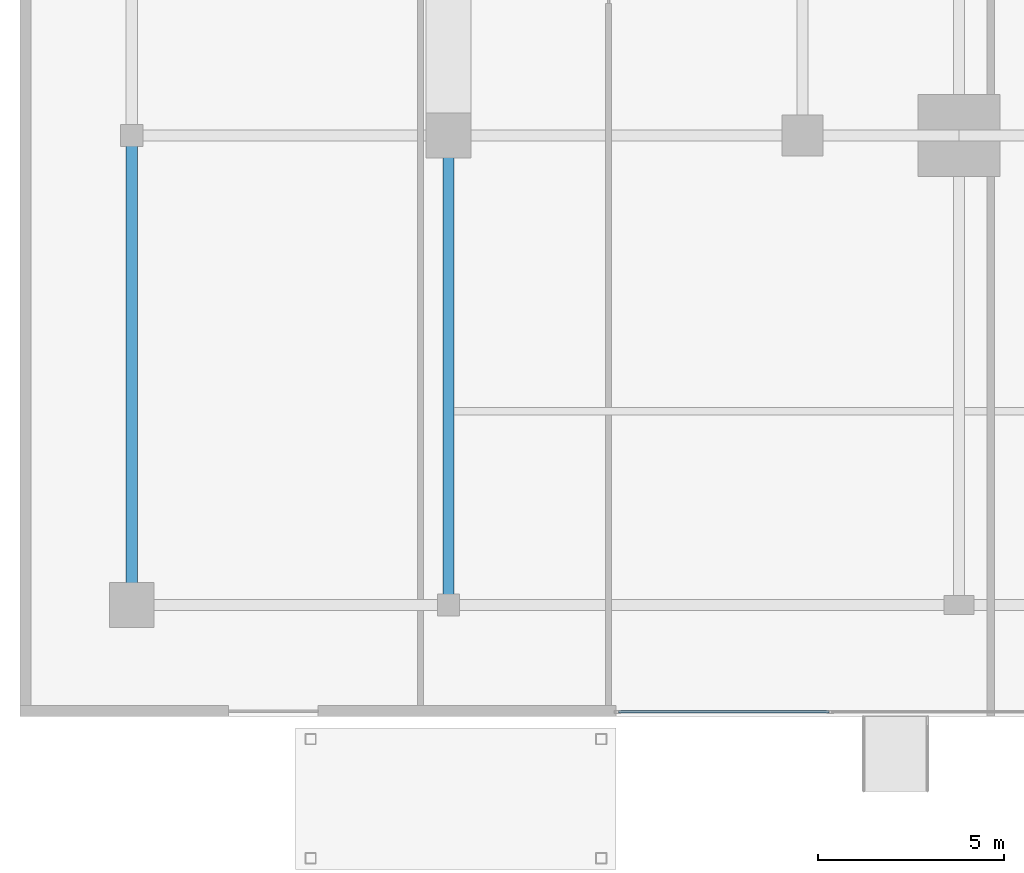
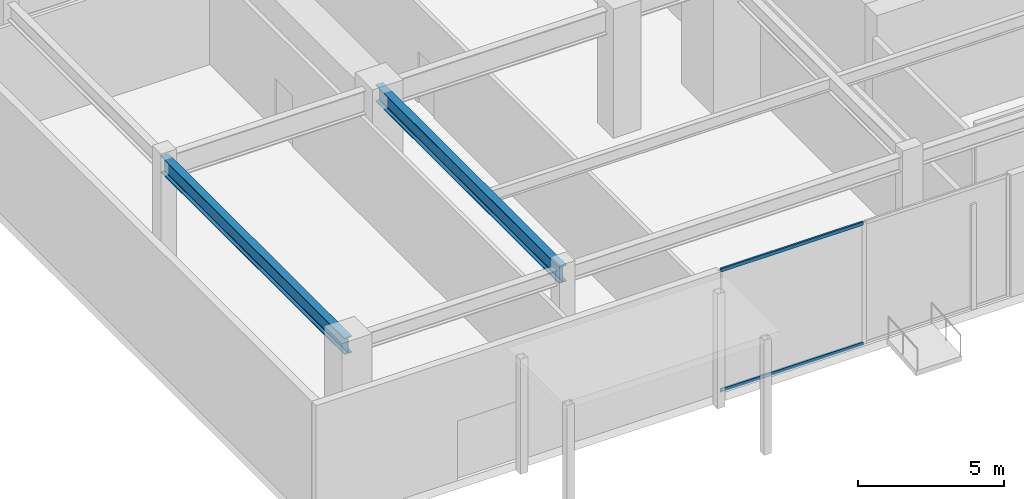
# One storey, part 7 of 28: 2 beams, 2 members, 1 element without a shape of its own.
"""IFC4 building model written with IfcOpenShell, lengths in metres."""

from ifc_helpers import new_model, si_unit, direction, frame, origin, origin_2d, place, context, subcontext, project, spatial, hollow_rectangle, i_section, extrude, source, transform, mapped, material, material_profile, profile_set, type_object, type_shapes, element, aggregate, save


model = new_model("IFC4")

# Units and contexts
model_context = context("Model", 3, precision=1e-05, world=origin(), true_north=direction((0.0, 1.0)))
body_context = subcontext(model_context, "Body", "Model", "MODEL_VIEW")
ifc_project = project(units=[si_unit("LENGTHUNIT", "METRE"), si_unit("AREAUNIT", "SQUARE_METRE"), si_unit("VOLUMEUNIT", "CUBIC_METRE"), si_unit("PLANEANGLEUNIT", "RADIAN"), si_unit("MASSUNIT", "GRAM", prefix="KILO")], contexts=[model_context])

# Site, building, storey
site_placement = place(None, origin())
site = spatial("IfcSite", under=ifc_project, at=site_placement, CompositionType="ELEMENT")
building_placement = place(site_placement, origin())
building = spatial("IfcBuilding", under=site, at=building_placement, Name="Krantzveldt Concourse Tower", CompositionType="ELEMENT")
storey_placement = place(building_placement, origin())
storey = spatial("IfcBuildingStorey", under=building, at=storey_placement, Name="L00", CompositionType="ELEMENT", Elevation=0.0)

# Beams
ifc_material_1 = material(Name="Steel S355JR", Category="steel")
ifc_material_profile_1 = material_profile(ifc_material_1, i_section(OverallWidth=0.300048828125, OverallDepth=0.68994140625, WebThickness=0.014404296875, FlangeThickness=0.027099609375, FilletRadius=0.027099609375, at=origin_2d()), Name="Steel S355JR", Category="steel")
ifc_profile_set_1 = profile_set([ifc_material_profile_1], Name="Steel S355JR - HEA 700")
beam_type = type_object("IfcBeamType", Name="BM-B-HEA700", PredefinedType="BEAM", material=ifc_profile_set_1)
shared_shape_1 = source(origin(), body_context, "Body", "SweptSolid", [
    extrude(i_section(OverallWidth=0.300048828125, OverallDepth=0.68994140625, WebThickness=0.014404296875, FlangeThickness=0.027099609375, FilletRadius=0.027099609375, at=origin_2d()), origin(), (0.0, 0.0, 1.0), 12.599853515625),
])
type_shapes(beam_type, [shared_shape_1])
for number, where, z_axis, x_axis, name in (
    (1, (11.5, 3.300048828125, 4.7548828125), (0.0, 1.0, 0.0), (-1.0, 0.0, 0.0), "L00 Podium Primary Girder BG-IW-1"),
    (2, (3.0, 3.300048828125, 4.7548828125), (0.0, 1.0, 0.0), (-1.0, 0.0, 0.0), "L00 Podium Primary Girder BG-OW1"),
):
    element("IfcBeam", number, at=place(storey_placement, frame(where, z_axis=z_axis, x_axis=x_axis)), inside=storey, type_object=beam_type, Name=name, PredefinedType="BEAM", context=body_context, shape_type="MappedRepresentation", body=[
        mapped(shared_shape_1, transform((0.0, 0.0, 0.0), x_axis=(1.0, 0.0, 0.0), y_axis=(0.0, 1.0, 0.0), z_axis=(0.0, 0.0, 1.0), scale=1.0)),
    ])

# Curtain wall, members
ifc_material_2 = material(Name="Anodised aluminium 6063-T6", Category="aluminium")
curtain_wall_type = type_object("IfcCurtainWallType", Name="CW1", PredefinedType="USERDEFINED", material=ifc_material_2)
curtain_wall_placement = place(storey_placement, origin())
curtain_wall = element("IfcCurtainWall", 3, at=curtain_wall_placement, inside=storey, type_object=curtain_wall_type, Name="CW-L00-SC1", ObjectType="UNITISED CURTAIN WALL", PredefinedType="USERDEFINED")
ifc_material_profile_2 = material_profile(ifc_material_2, hollow_rectangle(XDim=0.070068359375, YDim=0.139892578125, WallThickness=0.0048828125, at=origin_2d()), Name="Anodised aluminium 6063-T6", Category="aluminium")
ifc_profile_set_2 = profile_set([ifc_material_profile_2], Name="Anodised aluminium 6063-T6 - ALU-TRAN 140x70x5")
member_type = type_object("IfcMemberType", Name="CW-TRN-150", PredefinedType="USERDEFINED", material=ifc_profile_set_2)
shared_shape_2 = source(origin(), body_context, "Body", "SweptSolid", [
    extrude(hollow_rectangle(XDim=0.070068359375, YDim=0.139892578125, WallThickness=0.0048828125, at=origin_2d()), origin(), (0.0, 0.0, 1.0), 5.64501953125),
])
type_shapes(member_type, [shared_shape_2])
member_1_placement = place(storey_placement, frame((16.070068359375, 0.429931640625, 0.034912109375), z_axis=(1.0, 0.0, 0.0), x_axis=(0.0, 1.0, 0.0)))
member_1 = element("IfcMember", 4, at=member_1_placement, type_object=member_type, Name="CW-POD transom 1.1", ObjectType="TRANSOM", PredefinedType="USERDEFINED", context=body_context, shape_type="MappedRepresentation", body=[
    mapped(shared_shape_2, transform((0.0, 0.0, 0.0), x_axis=(1.0, 0.0, 0.0), y_axis=(0.0, 1.0, 0.0), z_axis=(0.0, 0.0, 1.0), scale=1.0)),
])
member_2_placement = place(storey_placement, frame((16.070068359375, 0.429931640625, 5.06494140625), z_axis=(1.0, 0.0, 0.0), x_axis=(0.0, 1.0, 0.0)))
member_2 = element("IfcMember", 5, at=member_2_placement, type_object=member_type, Name="CW-POD transom 1.2", ObjectType="TRANSOM", PredefinedType="USERDEFINED", context=body_context, shape_type="MappedRepresentation", body=[
    mapped(shared_shape_2, transform((0.0, 0.0, 0.0), x_axis=(1.0, 0.0, 0.0), y_axis=(0.0, 1.0, 0.0), z_axis=(0.0, 0.0, 1.0), scale=1.0)),
])
aggregate(curtain_wall, [member_1, member_2])

save(model, "model.ifc")
